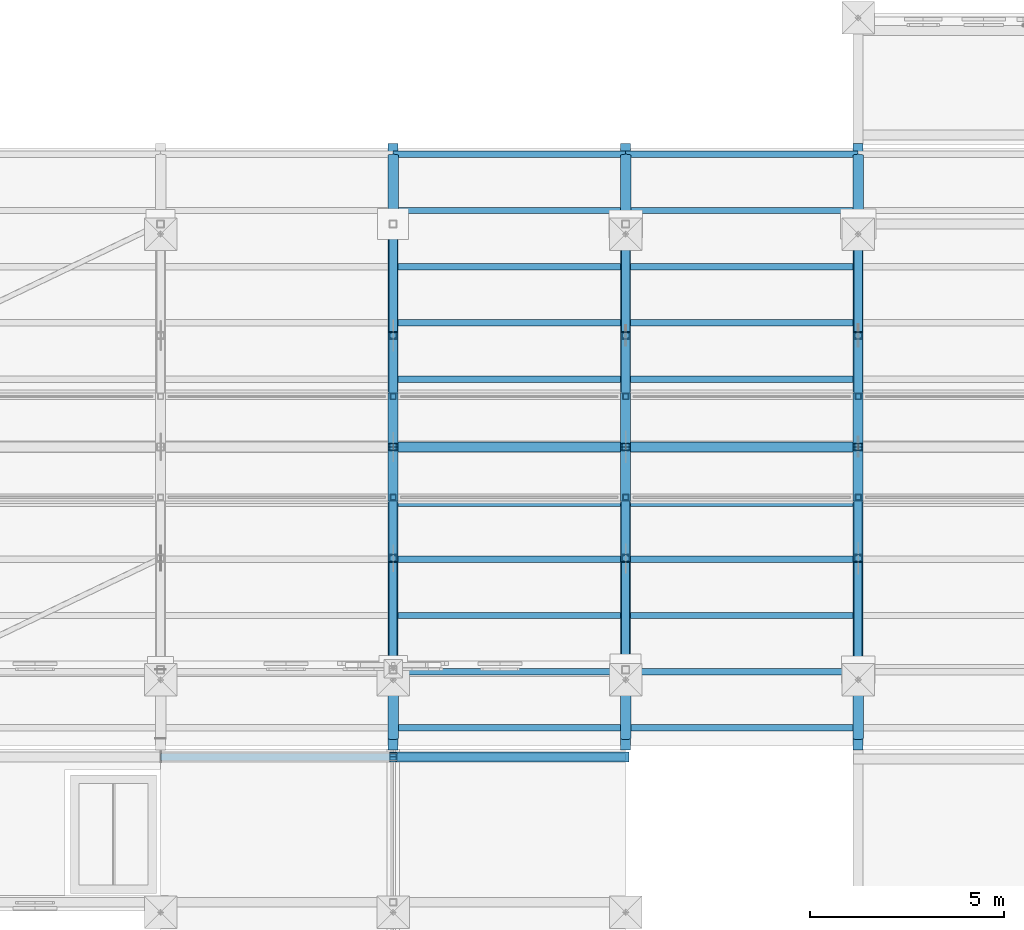
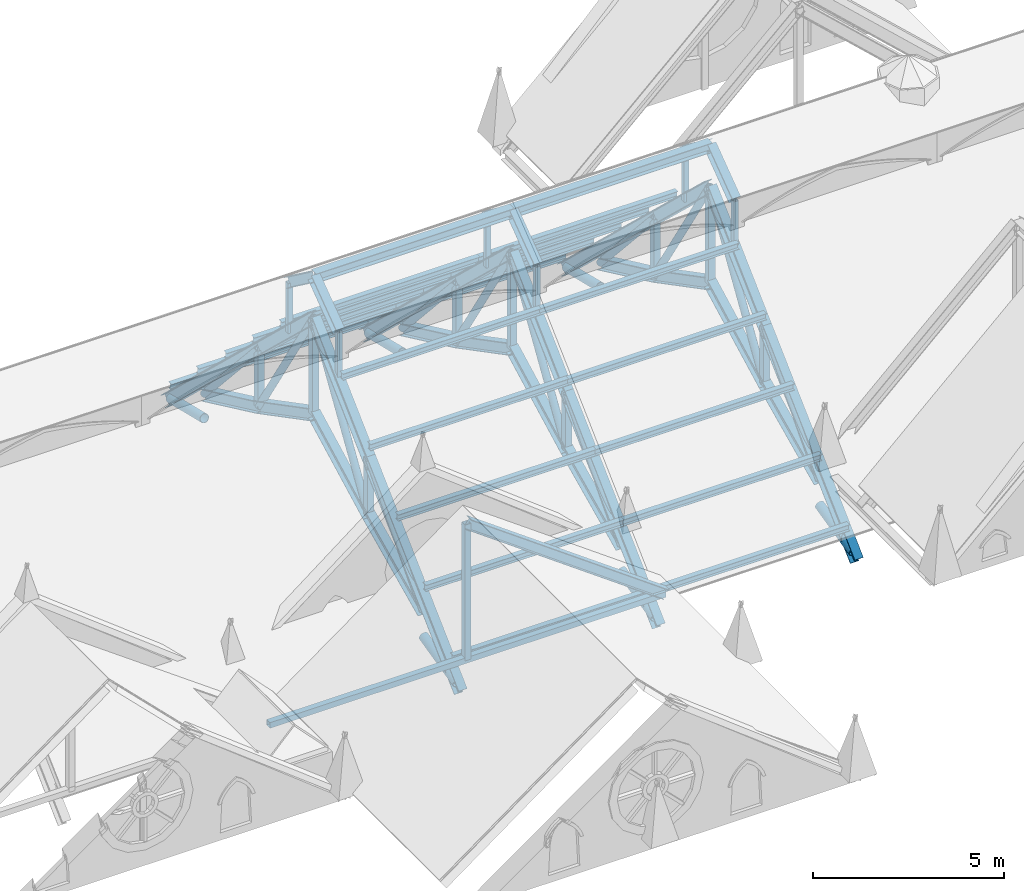
# One storey, part 8 of 33: 88 members.
"""IFC4 building model written with IfcOpenShell, lengths in metres."""

from ifc_helpers import new_model, si_unit, direction, frame, origin, origin_2d, place, context, subcontext, project, spatial, hollow_rectangle, hollow_circle, i_section, extrude, material, material_profile, profile_set, type_object, element, save


model = new_model("IFC4")

# Units and contexts
model_context = context("Model", 3, precision=1e-05, world=origin(), true_north=direction((0.0, 1.0)))
body_context = subcontext(model_context, "Body", "Model", "MODEL_VIEW")
ifc_project = project(units=[si_unit("LENGTHUNIT", "METRE"), si_unit("AREAUNIT", "SQUARE_METRE"), si_unit("VOLUMEUNIT", "CUBIC_METRE"), si_unit("PLANEANGLEUNIT", "RADIAN"), si_unit("MASSUNIT", "GRAM", prefix="KILO")], contexts=[model_context])

# Site, building, storey
site_placement = place(None, origin())
site = spatial("IfcSite", under=ifc_project, at=site_placement, CompositionType="ELEMENT")
building_placement = place(site_placement, origin())
building = spatial("IfcBuilding", under=site, at=building_placement, Name="Cumevento Cable Car Station", CompositionType="ELEMENT")
storey_placement = place(building_placement, frame((0.0, 0.0, 22.5)))
storey = spatial("IfcBuildingStorey", under=building, at=storey_placement, Name="RF", CompositionType="ELEMENT", Elevation=22.5)

# Members
ifc_material_1 = material(Name="Steel ASTM A572 Grade 50", Category="steel")
ifc_material_profile_1 = material_profile(ifc_material_1, hollow_rectangle(XDim=0.179931640625, YDim=0.179931640625, WallThickness=0.010009765625, at=origin_2d()), Name="HSS180x180x10.0")
ifc_profile_set_1 = profile_set([ifc_material_profile_1], Name="Steel ASTM A572 Grade 50")
member_type_1 = type_object("IfcMemberType", Name="Framing Brace BR-01 HSS180x180x10.0", PredefinedType="BRACE", material=ifc_profile_set_1)
member_1_placement = place(storey_placement, frame((70.0, 42.75, 0.0), z_axis=(1.0, 0.0, 0.0), x_axis=(0.0, 1.0, 0.0)))
element("IfcMember", 1, at=member_1_placement, inside=storey, type_object=member_type_1, Name="Wing B_V2d Truss Tie #719", PredefinedType="BRACE", context=body_context, shape_type="SweptSolid", body=[
    extrude(hollow_rectangle(XDim=0.179931640625, YDim=0.179931640625, WallThickness=0.010009765625, at=origin_2d()), origin(), (0.0, 0.0, 1.0), 12.0),
])
member_2_placement = place(storey_placement, frame((76.0, 42.75, 0.0), z_axis=(0.0, 0.0, 1.0), x_axis=(1.0, 0.0, 0.0)))
element("IfcMember", 2, at=member_2_placement, inside=storey, type_object=member_type_1, Name="Wing B_V2d King Post #720", PredefinedType="BRACE", context=body_context, shape_type="SweptSolid", body=[
    extrude(hollow_rectangle(XDim=0.179931640625, YDim=0.179931640625, WallThickness=0.010009765625, at=origin_2d()), origin(), (0.0, 0.0, 1.0), 4.35009765625),
])
ifc_material_2 = material(Name="Steel ASTM A572 Grade 50", Category="steel")
ifc_material_profile_2 = material_profile(ifc_material_2, hollow_circle(Radius=0.109619140625, WallThickness=0.012451171875, at=origin_2d()), Name="CHS219.1x12.5")
ifc_profile_set_2 = profile_set([ifc_material_profile_2], Name="Steel ASTM A572 Grade 50")
member_type_2 = type_object("IfcMemberType", Name="Framing Brace TD-01 CHS219.1x12.5", PredefinedType="BRACE", material=ifc_profile_set_2)
member_3_placement = place(storey_placement, frame((76.0, 45.0, 0.139892578125), z_axis=(0.0, 0.669655633009, 0.74267175332), x_axis=(-1.0, 0.0, 0.0)))
element("IfcMember", 3, at=member_3_placement, inside=storey, type_object=member_type_2, Name="Boarding Hall Vault Arch Diagonal #68", PredefinedType="BRACE", context=body_context, shape_type="SweptSolid", body=[
    extrude(hollow_circle(Radius=0.109619140625, WallThickness=0.012451171875, at=origin_2d()), origin(), (0.0, 0.0, 1.0), 4.293212890625),
])
member_4_placement = place(storey_placement, frame((76.0, 47.875, 1.489990234375), z_axis=(0.0, 0.532794069711, 0.846244928659), x_axis=(-1.0, 0.0, 0.0)))
element("IfcMember", 4, at=member_4_placement, inside=storey, type_object=member_type_2, Name="Boarding Hall Vault Arch Diagonal #69", PredefinedType="BRACE", context=body_context, shape_type="SweptSolid", body=[
    extrude(hollow_circle(Radius=0.109619140625, WallThickness=0.012451171875, at=origin_2d()), origin(), (0.0, 0.0, 1.0), 5.39599609375),
])
member_5_placement = place(storey_placement, frame((76.0, 56.5, 0.139892578125), z_axis=(0.0, -0.669655633009, 0.74267175332), x_axis=(1.0, 0.0, 0.0)))
element("IfcMember", 5, at=member_5_placement, inside=storey, type_object=member_type_2, Name="Boarding Hall Vault Arch Diagonal #70", PredefinedType="BRACE", context=body_context, shape_type="SweptSolid", body=[
    extrude(hollow_circle(Radius=0.109619140625, WallThickness=0.012451171875, at=origin_2d()), origin(), (0.0, 0.0, 1.0), 4.293212890625),
])
member_6_placement = place(storey_placement, frame((76.0, 53.625, 1.489990234375), z_axis=(0.0, -0.532794069711, 0.846244928659), x_axis=(1.0, 0.0, 0.0)))
element("IfcMember", 6, at=member_6_placement, inside=storey, type_object=member_type_2, Name="Boarding Hall Vault Arch Diagonal #71", PredefinedType="BRACE", context=body_context, shape_type="SweptSolid", body=[
    extrude(hollow_circle(Radius=0.109619140625, WallThickness=0.012451171875, at=origin_2d()), origin(), (0.0, 0.0, 1.0), 5.39599609375),
])
member_7_placement = place(storey_placement, frame((82.0, 45.0, 0.139892578125), z_axis=(0.0, 0.669655633009, 0.74267175332), x_axis=(-1.0, 0.0, 0.0)))
element("IfcMember", 7, at=member_7_placement, inside=storey, type_object=member_type_2, Name="Boarding Hall Vault Arch Diagonal #91", PredefinedType="BRACE", context=body_context, shape_type="SweptSolid", body=[
    extrude(hollow_circle(Radius=0.109619140625, WallThickness=0.012451171875, at=origin_2d()), origin(), (0.0, 0.0, 1.0), 4.293212890625),
])
member_8_placement = place(storey_placement, frame((82.0, 47.875, 1.489990234375), z_axis=(0.0, 0.532794069711, 0.846244928659), x_axis=(-1.0, 0.0, 0.0)))
element("IfcMember", 8, at=member_8_placement, inside=storey, type_object=member_type_2, Name="Boarding Hall Vault Arch Diagonal #92", PredefinedType="BRACE", context=body_context, shape_type="SweptSolid", body=[
    extrude(hollow_circle(Radius=0.109619140625, WallThickness=0.012451171875, at=origin_2d()), origin(), (0.0, 0.0, 1.0), 5.39599609375),
])
member_9_placement = place(storey_placement, frame((82.0, 56.5, 0.139892578125), z_axis=(0.0, -0.669655633009, 0.74267175332), x_axis=(1.0, 0.0, 0.0)))
element("IfcMember", 9, at=member_9_placement, inside=storey, type_object=member_type_2, Name="Boarding Hall Vault Arch Diagonal #93", PredefinedType="BRACE", context=body_context, shape_type="SweptSolid", body=[
    extrude(hollow_circle(Radius=0.109619140625, WallThickness=0.012451171875, at=origin_2d()), origin(), (0.0, 0.0, 1.0), 4.293212890625),
])
member_10_placement = place(storey_placement, frame((82.0, 53.625, 1.489990234375), z_axis=(0.0, -0.532794069711, 0.846244928659), x_axis=(1.0, 0.0, 0.0)))
element("IfcMember", 10, at=member_10_placement, inside=storey, type_object=member_type_2, Name="Boarding Hall Vault Arch Diagonal #94", PredefinedType="BRACE", context=body_context, shape_type="SweptSolid", body=[
    extrude(hollow_circle(Radius=0.109619140625, WallThickness=0.012451171875, at=origin_2d()), origin(), (0.0, 0.0, 1.0), 5.39599609375),
])
member_11_placement = place(storey_placement, frame((88.0, 45.0, 0.139892578125), z_axis=(0.0, 0.669655633009, 0.74267175332), x_axis=(-1.0, 0.0, 0.0)))
element("IfcMember", 11, at=member_11_placement, inside=storey, type_object=member_type_2, Name="Boarding Hall Vault Arch Diagonal #112", PredefinedType="BRACE", context=body_context, shape_type="SweptSolid", body=[
    extrude(hollow_circle(Radius=0.109619140625, WallThickness=0.012451171875, at=origin_2d()), origin(), (0.0, 0.0, 1.0), 4.293212890625),
])
member_12_placement = place(storey_placement, frame((88.0, 47.875, 1.489990234375), z_axis=(0.0, 0.532794069711, 0.846244928659), x_axis=(-1.0, 0.0, 0.0)))
element("IfcMember", 12, at=member_12_placement, inside=storey, type_object=member_type_2, Name="Boarding Hall Vault Arch Diagonal #113", PredefinedType="BRACE", context=body_context, shape_type="SweptSolid", body=[
    extrude(hollow_circle(Radius=0.109619140625, WallThickness=0.012451171875, at=origin_2d()), origin(), (0.0, 0.0, 1.0), 5.39599609375),
])
member_13_placement = place(storey_placement, frame((88.0, 56.5, 0.139892578125), z_axis=(0.0, -0.669655633009, 0.74267175332), x_axis=(1.0, 0.0, 0.0)))
element("IfcMember", 13, at=member_13_placement, inside=storey, type_object=member_type_2, Name="Boarding Hall Vault Arch Diagonal #114", PredefinedType="BRACE", context=body_context, shape_type="SweptSolid", body=[
    extrude(hollow_circle(Radius=0.109619140625, WallThickness=0.012451171875, at=origin_2d()), origin(), (0.0, 0.0, 1.0), 4.293212890625),
])
member_14_placement = place(storey_placement, frame((88.0, 53.625, 1.489990234375), z_axis=(0.0, -0.532794069711, 0.846244928659), x_axis=(1.0, 0.0, 0.0)))
element("IfcMember", 14, at=member_14_placement, inside=storey, type_object=member_type_2, Name="Boarding Hall Vault Arch Diagonal #115", PredefinedType="BRACE", context=body_context, shape_type="SweptSolid", body=[
    extrude(hollow_circle(Radius=0.109619140625, WallThickness=0.012451171875, at=origin_2d()), origin(), (0.0, 0.0, 1.0), 5.39599609375),
])
ifc_material_3 = material(Name="Steel ASTM A572 Grade 50", Category="steel")
ifc_material_profile_3 = material_profile(ifc_material_3, i_section(OverallWidth=0.257080078125, OverallDepth=0.363037109375, WebThickness=0.012939453125, FlangeThickness=0.021728515625, at=origin_2d()), Name="W360x122.0")
ifc_profile_set_3 = profile_set([ifc_material_profile_3], Name="Steel ASTM A572 Grade 50")
member_type_3 = type_object("IfcMemberType", Name="Framing Chord TC-01 W360x122.0", PredefinedType="CHORD", material=ifc_profile_set_3)
member_15_placement = place(storey_placement, frame((76.0, 43.050048828125, -1.25048828125), z_axis=(0.0, 0.725363131924, 0.688366419028), x_axis=(-1.0, 0.0, 0.0)))
element("IfcMember", 15, at=member_15_placement, inside=storey, type_object=member_type_3, Name="Boarding Hall Vault Lower Rafter S #57", PredefinedType="CHORD", context=body_context, shape_type="SweptSolid", body=[
    extrude(i_section(OverallWidth=0.257080078125, OverallDepth=0.363037109375, WebThickness=0.012939453125, FlangeThickness=0.021728515625, at=origin_2d()), origin(), (0.0, 0.0, 1.0), 6.65185546875),
])
for number, where, z_axis, x_axis, name in (
    (16, (76.0, 47.875, 3.328369140625), (0.0, 0.725405335462, 0.688321944502), (-1.0, 0.0, 0.0), "Boarding Hall Vault Upper Rafter S #58"),
    (17, (76.0, 50.75, 6.056396484375), (0.0, 0.725405335462, -0.688321944502), (-1.0, 0.0, 0.0), "Boarding Hall Vault Upper Rafter N #59"),
):
    element("IfcMember", number, at=place(storey_placement, frame(where, z_axis=z_axis, x_axis=x_axis)), inside=storey, type_object=member_type_3, Name=name, PredefinedType="CHORD", context=body_context, shape_type="SweptSolid", body=[
        extrude(i_section(OverallWidth=0.257080078125, OverallDepth=0.363037109375, WebThickness=0.012939453125, FlangeThickness=0.021728515625, at=origin_2d()), origin(), (0.0, 0.0, 1.0), 3.96337890625),
    ])
for number, where, z_axis, x_axis, name in (
    (18, (76.0, 53.625, 3.328369140625), (0.0, 0.725363131924, -0.688366419028), (-1.0, 0.0, 0.0), "Boarding Hall Vault Lower Rafter N #60"),
    (19, (82.0, 43.050048828125, -1.25048828125), (0.0, 0.725363131924, 0.688366419028), (-1.0, 0.0, 0.0), "Boarding Hall Vault Lower Rafter S #80"),
):
    element("IfcMember", number, at=place(storey_placement, frame(where, z_axis=z_axis, x_axis=x_axis)), inside=storey, type_object=member_type_3, Name=name, PredefinedType="CHORD", context=body_context, shape_type="SweptSolid", body=[
        extrude(i_section(OverallWidth=0.257080078125, OverallDepth=0.363037109375, WebThickness=0.012939453125, FlangeThickness=0.021728515625, at=origin_2d()), origin(), (0.0, 0.0, 1.0), 6.65185546875),
    ])
for number, where, z_axis, x_axis, name in (
    (20, (82.0, 47.875, 3.328369140625), (0.0, 0.725405335462, 0.688321944502), (-1.0, 0.0, 0.0), "Boarding Hall Vault Upper Rafter S #81"),
    (21, (82.0, 50.75, 6.056396484375), (0.0, 0.725405335462, -0.688321944502), (-1.0, 0.0, 0.0), "Boarding Hall Vault Upper Rafter N #82"),
):
    element("IfcMember", number, at=place(storey_placement, frame(where, z_axis=z_axis, x_axis=x_axis)), inside=storey, type_object=member_type_3, Name=name, PredefinedType="CHORD", context=body_context, shape_type="SweptSolid", body=[
        extrude(i_section(OverallWidth=0.257080078125, OverallDepth=0.363037109375, WebThickness=0.012939453125, FlangeThickness=0.021728515625, at=origin_2d()), origin(), (0.0, 0.0, 1.0), 3.96337890625),
    ])
for number, where, z_axis, x_axis, name in (
    (22, (82.0, 53.625, 3.328369140625), (0.0, 0.725363131924, -0.688366419028), (-1.0, 0.0, 0.0), "Boarding Hall Vault Lower Rafter N #83"),
    (23, (88.0, 43.050048828125, -1.25048828125), (0.0, 0.725363131924, 0.688366419028), (-1.0, 0.0, 0.0), "Boarding Hall Vault Lower Rafter S #101"),
):
    element("IfcMember", number, at=place(storey_placement, frame(where, z_axis=z_axis, x_axis=x_axis)), inside=storey, type_object=member_type_3, Name=name, PredefinedType="CHORD", context=body_context, shape_type="SweptSolid", body=[
        extrude(i_section(OverallWidth=0.257080078125, OverallDepth=0.363037109375, WebThickness=0.012939453125, FlangeThickness=0.021728515625, at=origin_2d()), origin(), (0.0, 0.0, 1.0), 6.65185546875),
    ])
for number, where, z_axis, x_axis, name in (
    (24, (88.0, 47.875, 3.328369140625), (0.0, 0.725405335462, 0.688321944502), (-1.0, 0.0, 0.0), "Boarding Hall Vault Upper Rafter S #102"),
    (25, (88.0, 50.75, 6.056396484375), (0.0, 0.725405335462, -0.688321944502), (-1.0, 0.0, 0.0), "Boarding Hall Vault Upper Rafter N #103"),
):
    element("IfcMember", number, at=place(storey_placement, frame(where, z_axis=z_axis, x_axis=x_axis)), inside=storey, type_object=member_type_3, Name=name, PredefinedType="CHORD", context=body_context, shape_type="SweptSolid", body=[
        extrude(i_section(OverallWidth=0.257080078125, OverallDepth=0.363037109375, WebThickness=0.012939453125, FlangeThickness=0.021728515625, at=origin_2d()), origin(), (0.0, 0.0, 1.0), 3.96337890625),
    ])
member_16_placement = place(storey_placement, frame((88.0, 53.625, 3.328369140625), z_axis=(0.0, 0.725363131924, -0.688366419028), x_axis=(-1.0, 0.0, 0.0)))
element("IfcMember", 26, at=member_16_placement, inside=storey, type_object=member_type_3, Name="Boarding Hall Vault Lower Rafter N #104", PredefinedType="CHORD", context=body_context, shape_type="SweptSolid", body=[
    extrude(i_section(OverallWidth=0.257080078125, OverallDepth=0.363037109375, WebThickness=0.012939453125, FlangeThickness=0.021728515625, at=origin_2d()), origin(), (0.0, 0.0, 1.0), 6.65185546875),
])
ifc_material_4 = material(Name="Steel ASTM A572 Grade 50", Category="steel")
ifc_material_profile_4 = material_profile(ifc_material_4, i_section(OverallWidth=0.2548828125, OverallDepth=0.35693359375, WebThickness=0.010498046875, FlangeThickness=0.018310546875, at=origin_2d()), Name="W360x101.0")
ifc_profile_set_4 = profile_set([ifc_material_profile_4], Name="Steel ASTM A572 Grade 50")
member_type_4 = type_object("IfcMemberType", Name="Framing Chord TC-02 W360x101.0", PredefinedType="CHORD", material=ifc_profile_set_4)
member_17_placement = place(storey_placement, frame((76.0, 45.0, 0.139892578125), z_axis=(0.0, 0.905163318391, 0.425063956411), x_axis=(-1.0, 0.0, 0.0)))
element("IfcMember", 27, at=member_17_placement, inside=storey, type_object=member_type_4, Name="Boarding Hall Pointed-Arch Bottom Chord #53", PredefinedType="CHORD", context=body_context, shape_type="SweptSolid", body=[
    extrude(i_section(OverallWidth=0.2548828125, OverallDepth=0.35693359375, WebThickness=0.010498046875, FlangeThickness=0.018310546875, at=origin_2d()), origin(), (0.0, 0.0, 1.0), 3.17626953125),
])
for number, where, z_axis, x_axis, name in (
    (28, (76.0, 47.875, 1.489990234375), (0.0, 0.886584846165, 0.462566006695), (-1.0, 0.0, 0.0), "Boarding Hall Pointed-Arch Bottom Chord #54"),
    (29, (76.0, 50.75, 2.989990234375), (0.0, 0.886584846165, -0.462566006695), (-1.0, 0.0, 0.0), "Boarding Hall Pointed-Arch Bottom Chord #55"),
):
    element("IfcMember", number, at=place(storey_placement, frame(where, z_axis=z_axis, x_axis=x_axis)), inside=storey, type_object=member_type_4, Name=name, PredefinedType="CHORD", context=body_context, shape_type="SweptSolid", body=[
        extrude(i_section(OverallWidth=0.2548828125, OverallDepth=0.35693359375, WebThickness=0.010498046875, FlangeThickness=0.018310546875, at=origin_2d()), origin(), (0.0, 0.0, 1.0), 3.24267578125),
    ])
for number, where, z_axis, x_axis, name in (
    (30, (76.0, 53.625, 1.489990234375), (0.0, 0.905163318391, -0.425063956411), (-1.0, 0.0, 0.0), "Boarding Hall Pointed-Arch Bottom Chord #56"),
    (31, (82.0, 45.0, 0.139892578125), (0.0, 0.905163318391, 0.425063956411), (-1.0, 0.0, 0.0), "Boarding Hall Pointed-Arch Bottom Chord #76"),
):
    element("IfcMember", number, at=place(storey_placement, frame(where, z_axis=z_axis, x_axis=x_axis)), inside=storey, type_object=member_type_4, Name=name, PredefinedType="CHORD", context=body_context, shape_type="SweptSolid", body=[
        extrude(i_section(OverallWidth=0.2548828125, OverallDepth=0.35693359375, WebThickness=0.010498046875, FlangeThickness=0.018310546875, at=origin_2d()), origin(), (0.0, 0.0, 1.0), 3.17626953125),
    ])
for number, where, z_axis, x_axis, name in (
    (32, (82.0, 47.875, 1.489990234375), (0.0, 0.886584846165, 0.462566006695), (-1.0, 0.0, 0.0), "Boarding Hall Pointed-Arch Bottom Chord #77"),
    (33, (82.0, 50.75, 2.989990234375), (0.0, 0.886584846165, -0.462566006695), (-1.0, 0.0, 0.0), "Boarding Hall Pointed-Arch Bottom Chord #78"),
):
    element("IfcMember", number, at=place(storey_placement, frame(where, z_axis=z_axis, x_axis=x_axis)), inside=storey, type_object=member_type_4, Name=name, PredefinedType="CHORD", context=body_context, shape_type="SweptSolid", body=[
        extrude(i_section(OverallWidth=0.2548828125, OverallDepth=0.35693359375, WebThickness=0.010498046875, FlangeThickness=0.018310546875, at=origin_2d()), origin(), (0.0, 0.0, 1.0), 3.24267578125),
    ])
for number, where, z_axis, x_axis, name in (
    (34, (82.0, 53.625, 1.489990234375), (0.0, 0.905163318391, -0.425063956411), (-1.0, 0.0, 0.0), "Boarding Hall Pointed-Arch Bottom Chord #79"),
    (35, (88.0, 45.0, 0.139892578125), (0.0, 0.905163318391, 0.425063956411), (-1.0, 0.0, 0.0), "Boarding Hall Pointed-Arch Bottom Chord #97"),
):
    element("IfcMember", number, at=place(storey_placement, frame(where, z_axis=z_axis, x_axis=x_axis)), inside=storey, type_object=member_type_4, Name=name, PredefinedType="CHORD", context=body_context, shape_type="SweptSolid", body=[
        extrude(i_section(OverallWidth=0.2548828125, OverallDepth=0.35693359375, WebThickness=0.010498046875, FlangeThickness=0.018310546875, at=origin_2d()), origin(), (0.0, 0.0, 1.0), 3.17626953125),
    ])
for number, where, z_axis, x_axis, name in (
    (36, (88.0, 47.875, 1.489990234375), (0.0, 0.886584846165, 0.462566006695), (-1.0, 0.0, 0.0), "Boarding Hall Pointed-Arch Bottom Chord #98"),
    (37, (88.0, 50.75, 2.989990234375), (0.0, 0.886584846165, -0.462566006695), (-1.0, 0.0, 0.0), "Boarding Hall Pointed-Arch Bottom Chord #99"),
):
    element("IfcMember", number, at=place(storey_placement, frame(where, z_axis=z_axis, x_axis=x_axis)), inside=storey, type_object=member_type_4, Name=name, PredefinedType="CHORD", context=body_context, shape_type="SweptSolid", body=[
        extrude(i_section(OverallWidth=0.2548828125, OverallDepth=0.35693359375, WebThickness=0.010498046875, FlangeThickness=0.018310546875, at=origin_2d()), origin(), (0.0, 0.0, 1.0), 3.24267578125),
    ])
member_18_placement = place(storey_placement, frame((88.0, 53.625, 1.489990234375), z_axis=(0.0, 0.905163318391, -0.425063956411), x_axis=(-1.0, 0.0, 0.0)))
element("IfcMember", 38, at=member_18_placement, inside=storey, type_object=member_type_4, Name="Boarding Hall Pointed-Arch Bottom Chord #100", PredefinedType="CHORD", context=body_context, shape_type="SweptSolid", body=[
    extrude(i_section(OverallWidth=0.2548828125, OverallDepth=0.35693359375, WebThickness=0.010498046875, FlangeThickness=0.018310546875, at=origin_2d()), origin(), (0.0, 0.0, 1.0), 3.17626953125),
])
ifc_material_5 = material(Name="Steel ASTM A572 Grade 50", Category="steel")
ifc_material_profile_5 = material_profile(ifc_material_5, i_section(OverallWidth=0.25390625, OverallDepth=0.305908203125, WebThickness=0.0087890625, FlangeThickness=0.0146484375, at=origin_2d()), Name="W310x79.0")
ifc_profile_set_5 = profile_set([ifc_material_profile_5], Name="Steel ASTM A572 Grade 50")
member_type_5 = type_object("IfcMemberType", Name="Framing Chord TC-03 W310x79.0", PredefinedType="CHORD", material=ifc_profile_set_5)
for number, where, z_axis, x_axis, name in (
    (39, (76.0, 49.449951171875, 6.419921875), (0.0, 0.804455479385, 0.594012947407), (-1.0, 0.0, 0.0), "Boarding Hall Lantern Pointed Rafter #62"),
    (40, (76.0, 52.050048828125, 6.419921875), (0.0, -0.804455479385, 0.594012947407), (1.0, 0.0, 0.0), "Boarding Hall Lantern Pointed Rafter #64"),
    (41, (82.0, 49.449951171875, 6.419921875), (0.0, 0.804455479385, 0.594012947407), (-1.0, 0.0, 0.0), "Boarding Hall Lantern Pointed Rafter #85"),
    (42, (82.0, 52.050048828125, 6.419921875), (0.0, -0.804455479385, 0.594012947407), (1.0, 0.0, 0.0), "Boarding Hall Lantern Pointed Rafter #87"),
    (43, (88.0, 49.449951171875, 6.419921875), (0.0, 0.804455479385, 0.594012947407), (-1.0, 0.0, 0.0), "Boarding Hall Lantern Pointed Rafter #106"),
    (44, (88.0, 52.050048828125, 6.419921875), (0.0, -0.804455479385, 0.594012947407), (1.0, 0.0, 0.0), "Boarding Hall Lantern Pointed Rafter #108"),
):
    element("IfcMember", number, at=place(storey_placement, frame(where, z_axis=z_axis, x_axis=x_axis)), inside=storey, type_object=member_type_5, Name=name, PredefinedType="CHORD", context=body_context, shape_type="SweptSolid", body=[
        extrude(i_section(OverallWidth=0.25390625, OverallDepth=0.305908203125, WebThickness=0.0087890625, FlangeThickness=0.0146484375, at=origin_2d()), origin(), (0.0, 0.0, 1.0), 1.615966796875),
    ])
for number, where, z_axis, x_axis, name in (
    (45, (76.0, 50.75, 7.3798828125), (1.0, 0.0, 0.0), (0.0, 1.0, 0.0), "Boarding Hall Lantern Ridge Beam #265"),
    (46, (82.0, 50.75, 7.3798828125), (1.0, 0.0, 0.0), (0.0, 1.0, 0.0), "Boarding Hall Lantern Ridge Beam #276"),
):
    element("IfcMember", number, at=place(storey_placement, frame(where, z_axis=z_axis, x_axis=x_axis)), inside=storey, type_object=member_type_5, Name=name, PredefinedType="CHORD", context=body_context, shape_type="SweptSolid", body=[
        extrude(i_section(OverallWidth=0.25390625, OverallDepth=0.305908203125, WebThickness=0.0087890625, FlangeThickness=0.0146484375, at=origin_2d()), origin(), (0.0, 0.0, 1.0), 6.0),
    ])
member_19_placement = place(storey_placement, frame((82.0, 42.75, 0.0), z_axis=(-0.809604181367, 0.0, 0.586976208643), x_axis=(0.0, -1.0, 0.0)))
element("IfcMember", 47, at=member_19_placement, inside=storey, type_object=member_type_5, Name="Wing B_V2d Rafter #722", PredefinedType="CHORD", context=body_context, shape_type="SweptSolid", body=[
    extrude(i_section(OverallWidth=0.25390625, OverallDepth=0.305908203125, WebThickness=0.0087890625, FlangeThickness=0.0146484375, at=origin_2d()), origin(), (0.0, 0.0, 1.0), 7.4111328125),
])
ifc_material_6 = material(Name="Steel ASTM A572 Grade 50", Category="steel")
ifc_material_profile_6 = material_profile(ifc_material_6, hollow_rectangle(XDim=0.199951171875, YDim=0.199951171875, WallThickness=0.012451171875, at=origin_2d()), Name="HSS200x200x12.5")
ifc_profile_set_6 = profile_set([ifc_material_profile_6], Name="Steel ASTM A572 Grade 50")
member_type_6 = type_object("IfcMemberType", Name="Framing Post TD-03 HSS200x200x12.5", PredefinedType="POST", material=ifc_profile_set_6)
member_20_placement = place(storey_placement, frame((76.0, 47.875, 1.489990234375), z_axis=(0.0, 0.0, 1.0), x_axis=(1.0, 0.0, 0.0)))
element("IfcMember", 48, at=member_20_placement, inside=storey, type_object=member_type_6, Name="Boarding Hall Truss Web Vertical #65", PredefinedType="POST", context=body_context, shape_type="SweptSolid", body=[
    extrude(hollow_rectangle(XDim=0.199951171875, YDim=0.199951171875, WallThickness=0.012451171875, at=origin_2d()), origin(), (0.0, 0.0, 1.0), 1.83837890625),
])
member_21_placement = place(storey_placement, frame((76.0, 50.75, 2.989990234375), z_axis=(0.0, 0.0, 1.0), x_axis=(1.0, 0.0, 0.0)))
element("IfcMember", 49, at=member_21_placement, inside=storey, type_object=member_type_6, Name="Boarding Hall Truss Web Vertical #66", PredefinedType="POST", context=body_context, shape_type="SweptSolid", body=[
    extrude(hollow_rectangle(XDim=0.199951171875, YDim=0.199951171875, WallThickness=0.012451171875, at=origin_2d()), origin(), (0.0, 0.0, 1.0), 3.06640625),
])
for number, where, z_axis, x_axis, name in (
    (50, (76.0, 53.625, 1.489990234375), (0.0, 0.0, 1.0), (1.0, 0.0, 0.0), "Boarding Hall Truss Web Vertical #67"),
    (51, (82.0, 47.875, 1.489990234375), (0.0, 0.0, 1.0), (1.0, 0.0, 0.0), "Boarding Hall Truss Web Vertical #88"),
):
    element("IfcMember", number, at=place(storey_placement, frame(where, z_axis=z_axis, x_axis=x_axis)), inside=storey, type_object=member_type_6, Name=name, PredefinedType="POST", context=body_context, shape_type="SweptSolid", body=[
        extrude(hollow_rectangle(XDim=0.199951171875, YDim=0.199951171875, WallThickness=0.012451171875, at=origin_2d()), origin(), (0.0, 0.0, 1.0), 1.83837890625),
    ])
member_22_placement = place(storey_placement, frame((82.0, 50.75, 2.989990234375), z_axis=(0.0, 0.0, 1.0), x_axis=(1.0, 0.0, 0.0)))
element("IfcMember", 52, at=member_22_placement, inside=storey, type_object=member_type_6, Name="Boarding Hall Truss Web Vertical #89", PredefinedType="POST", context=body_context, shape_type="SweptSolid", body=[
    extrude(hollow_rectangle(XDim=0.199951171875, YDim=0.199951171875, WallThickness=0.012451171875, at=origin_2d()), origin(), (0.0, 0.0, 1.0), 3.06640625),
])
for number, where, z_axis, x_axis, name in (
    (53, (82.0, 53.625, 1.489990234375), (0.0, 0.0, 1.0), (1.0, 0.0, 0.0), "Boarding Hall Truss Web Vertical #90"),
    (54, (88.0, 47.875, 1.489990234375), (0.0, 0.0, 1.0), (1.0, 0.0, 0.0), "Boarding Hall Truss Web Vertical #109"),
):
    element("IfcMember", number, at=place(storey_placement, frame(where, z_axis=z_axis, x_axis=x_axis)), inside=storey, type_object=member_type_6, Name=name, PredefinedType="POST", context=body_context, shape_type="SweptSolid", body=[
        extrude(hollow_rectangle(XDim=0.199951171875, YDim=0.199951171875, WallThickness=0.012451171875, at=origin_2d()), origin(), (0.0, 0.0, 1.0), 1.83837890625),
    ])
member_23_placement = place(storey_placement, frame((88.0, 50.75, 2.989990234375), z_axis=(0.0, 0.0, 1.0), x_axis=(1.0, 0.0, 0.0)))
element("IfcMember", 55, at=member_23_placement, inside=storey, type_object=member_type_6, Name="Boarding Hall Truss Web Vertical #110", PredefinedType="POST", context=body_context, shape_type="SweptSolid", body=[
    extrude(hollow_rectangle(XDim=0.199951171875, YDim=0.199951171875, WallThickness=0.012451171875, at=origin_2d()), origin(), (0.0, 0.0, 1.0), 3.06640625),
])
member_24_placement = place(storey_placement, frame((88.0, 53.625, 1.489990234375), z_axis=(0.0, 0.0, 1.0), x_axis=(1.0, 0.0, 0.0)))
element("IfcMember", 56, at=member_24_placement, inside=storey, type_object=member_type_6, Name="Boarding Hall Truss Web Vertical #111", PredefinedType="POST", context=body_context, shape_type="SweptSolid", body=[
    extrude(hollow_rectangle(XDim=0.199951171875, YDim=0.199951171875, WallThickness=0.012451171875, at=origin_2d()), origin(), (0.0, 0.0, 1.0), 1.83837890625),
])
ifc_material_7 = material(Name="Steel ASTM A572 Grade 50", Category="steel")
ifc_material_profile_7 = material_profile(ifc_material_7, hollow_rectangle(XDim=0.14990234375, YDim=0.14990234375, WallThickness=0.010009765625, at=origin_2d()), Name="HSS150x150x10.0")
ifc_profile_set_7 = profile_set([ifc_material_profile_7], Name="Steel ASTM A572 Grade 50")
member_type_7 = type_object("IfcMemberType", Name="Framing Post TD-04 HSS150x150x10.0", PredefinedType="POST", material=ifc_profile_set_7)
for number, where, z_axis, x_axis, name in (
    (57, (76.0, 49.449951171875, 4.822998046875), (0.0, 0.0, 1.0), (1.0, 0.0, 0.0), "Boarding Hall Lantern Clerestory Post #61"),
    (58, (76.0, 52.050048828125, 4.822998046875), (0.0, 0.0, 1.0), (1.0, 0.0, 0.0), "Boarding Hall Lantern Clerestory Post #63"),
    (59, (82.0, 49.449951171875, 4.822998046875), (0.0, 0.0, 1.0), (1.0, 0.0, 0.0), "Boarding Hall Lantern Clerestory Post #84"),
    (60, (82.0, 52.050048828125, 4.822998046875), (0.0, 0.0, 1.0), (1.0, 0.0, 0.0), "Boarding Hall Lantern Clerestory Post #86"),
    (61, (88.0, 49.449951171875, 4.822998046875), (0.0, 0.0, 1.0), (1.0, 0.0, 0.0), "Boarding Hall Lantern Clerestory Post #105"),
    (62, (88.0, 52.050048828125, 4.822998046875), (0.0, 0.0, 1.0), (1.0, 0.0, 0.0), "Boarding Hall Lantern Clerestory Post #107"),
):
    element("IfcMember", number, at=place(storey_placement, frame(where, z_axis=z_axis, x_axis=x_axis)), inside=storey, type_object=member_type_7, Name=name, PredefinedType="POST", context=body_context, shape_type="SweptSolid", body=[
        extrude(hollow_rectangle(XDim=0.14990234375, YDim=0.14990234375, WallThickness=0.010009765625, at=origin_2d()), origin(), (0.0, 0.0, 1.0), 1.596923828125),
    ])
ifc_material_8 = material(Name="Steel ASTM A572 Grade 50", Category="steel")
ifc_material_profile_8 = material_profile(ifc_material_8, i_section(OverallWidth=0.1650390625, OverallDepth=0.200927734375, WebThickness=0.006103515625, FlangeThickness=0.01025390625, at=origin_2d()), Name="W200x35.9")
ifc_profile_set_8 = profile_set([ifc_material_profile_8], Name="Steel ASTM A572 Grade 50")
member_type_8 = type_object("IfcMemberType", Name="Framing Purlin PR-01 W200x35.9", PredefinedType="PURLIN", material=ifc_profile_set_8)
for number, where, z_axis, x_axis, name in (
    (63, (76.0, 43.5, -0.427734375), (1.0, 0.0, 0.0), (0.0, 1.0, 0.0), "Boarding Hall Vault Purlin #255"),
    (64, (76.0, 44.949951171875, 0.9482421875), (1.0, 0.0, 0.0), (0.0, 1.0, 0.0), "Boarding Hall Vault Purlin #256"),
    (65, (76.0, 46.39990234375, 2.32421875), (1.0, 0.0, 0.0), (0.0, 1.0, 0.0), "Boarding Hall Vault Purlin #257"),
    (66, (76.0, 47.85009765625, 3.7001953125), (1.0, 0.0, 0.0), (0.0, 1.0, 0.0), "Boarding Hall Vault Purlin #258"),
    (67, (76.0, 49.300048828125, 5.076171875), (1.0, 0.0, 0.0), (0.0, 1.0, 0.0), "Boarding Hall Vault Purlin #259"),
    (68, (76.0, 52.5, 4.79150390625), (1.0, 0.0, 0.0), (0.0, 1.0, 0.0), "Boarding Hall Vault Purlin #260"),
    (69, (76.0, 53.949951171875, 3.41552734375), (1.0, 0.0, 0.0), (0.0, 1.0, 0.0), "Boarding Hall Vault Purlin #261"),
    (70, (76.0, 55.39990234375, 2.03955078125), (1.0, 0.0, 0.0), (0.0, 1.0, 0.0), "Boarding Hall Vault Purlin #262"),
    (71, (76.0, 56.85009765625, 0.66357421875), (1.0, 0.0, 0.0), (0.0, 1.0, 0.0), "Boarding Hall Vault Purlin #263"),
    (72, (76.0, 58.300048828125, -0.71240234375), (1.0, 0.0, 0.0), (0.0, 1.0, 0.0), "Boarding Hall Vault Purlin #264"),
    (73, (82.0, 43.5, -0.427734375), (1.0, 0.0, 0.0), (0.0, 1.0, 0.0), "Boarding Hall Vault Purlin #266"),
    (74, (82.0, 44.949951171875, 0.9482421875), (1.0, 0.0, 0.0), (0.0, 1.0, 0.0), "Boarding Hall Vault Purlin #267"),
    (75, (82.0, 46.39990234375, 2.32421875), (1.0, 0.0, 0.0), (0.0, 1.0, 0.0), "Boarding Hall Vault Purlin #268"),
    (76, (82.0, 47.85009765625, 3.7001953125), (1.0, 0.0, 0.0), (0.0, 1.0, 0.0), "Boarding Hall Vault Purlin #269"),
    (77, (82.0, 49.300048828125, 5.076171875), (1.0, 0.0, 0.0), (0.0, 1.0, 0.0), "Boarding Hall Vault Purlin #270"),
    (78, (82.0, 52.5, 4.79150390625), (1.0, 0.0, 0.0), (0.0, 1.0, 0.0), "Boarding Hall Vault Purlin #271"),
    (79, (82.0, 53.949951171875, 3.41552734375), (1.0, 0.0, 0.0), (0.0, 1.0, 0.0), "Boarding Hall Vault Purlin #272"),
    (80, (82.0, 55.39990234375, 2.03955078125), (1.0, 0.0, 0.0), (0.0, 1.0, 0.0), "Boarding Hall Vault Purlin #273"),
    (81, (82.0, 56.85009765625, 0.66357421875), (1.0, 0.0, 0.0), (0.0, 1.0, 0.0), "Boarding Hall Vault Purlin #274"),
    (82, (82.0, 58.300048828125, -0.71240234375), (1.0, 0.0, 0.0), (0.0, 1.0, 0.0), "Boarding Hall Vault Purlin #275"),
):
    element("IfcMember", number, at=place(storey_placement, frame(where, z_axis=z_axis, x_axis=x_axis)), inside=storey, type_object=member_type_8, Name=name, PredefinedType="PURLIN", context=body_context, shape_type="SweptSolid", body=[
        extrude(i_section(OverallWidth=0.1650390625, OverallDepth=0.200927734375, WebThickness=0.006103515625, FlangeThickness=0.01025390625, at=origin_2d()), origin(), (0.0, 0.0, 1.0), 6.0),
    ])
ifc_material_9 = material(Name="Steel ASTM A572 Grade 50", Category="steel")
ifc_material_profile_9 = material_profile(ifc_material_9, hollow_circle(Radius=0.136474609375, WallThickness=0.012451171875, at=origin_2d()), Name="CHS273.0x12.5")
ifc_profile_set_9 = profile_set([ifc_material_profile_9], Name="Steel ASTM A572 Grade 50")
member_type_9 = type_object("IfcMemberType", Name="Framing Strut BR-04 CHS273.0x12.5", PredefinedType="STRUT", material=ifc_profile_set_9)
for number, where, z_axis, x_axis, name in (
    (83, (76.0, 45.0, -0.64990234375), (0.0, -0.971775656246, -0.23590691793), (1.0, 0.0, 0.0), "Boarding Hall Vault Arch Diagonal #72"),
    (84, (76.0, 56.5, -0.64990234375), (0.0, 0.971775656246, -0.23590691793), (-1.0, 0.0, 0.0), "Boarding Hall Vault Arch Diagonal #73"),
    (85, (82.0, 45.0, -0.64990234375), (0.0, -0.971775656246, -0.23590691793), (1.0, 0.0, 0.0), "Boarding Hall Vault Arch Diagonal #95"),
    (86, (82.0, 56.5, -0.64990234375), (0.0, 0.971775656246, -0.23590691793), (-1.0, 0.0, 0.0), "Boarding Hall Vault Arch Diagonal #96"),
    (87, (88.0, 45.0, -0.64990234375), (0.0, -0.971775656246, -0.23590691793), (1.0, 0.0, 0.0), "Boarding Hall Vault Arch Diagonal #116"),
    (88, (88.0, 56.5, -0.64990234375), (0.0, 0.971775656246, -0.23590691793), (-1.0, 0.0, 0.0), "Boarding Hall Vault Arch Diagonal #117"),
):
    element("IfcMember", number, at=place(storey_placement, frame(where, z_axis=z_axis, x_axis=x_axis)), inside=storey, type_object=member_type_9, Name=name, PredefinedType="STRUT", context=body_context, shape_type="SweptSolid", body=[
        extrude(hollow_circle(Radius=0.136474609375, WallThickness=0.012451171875, at=origin_2d()), origin(), (0.0, 0.0, 1.0), 1.821533203125),
    ])

save(model, "model.ifc")
